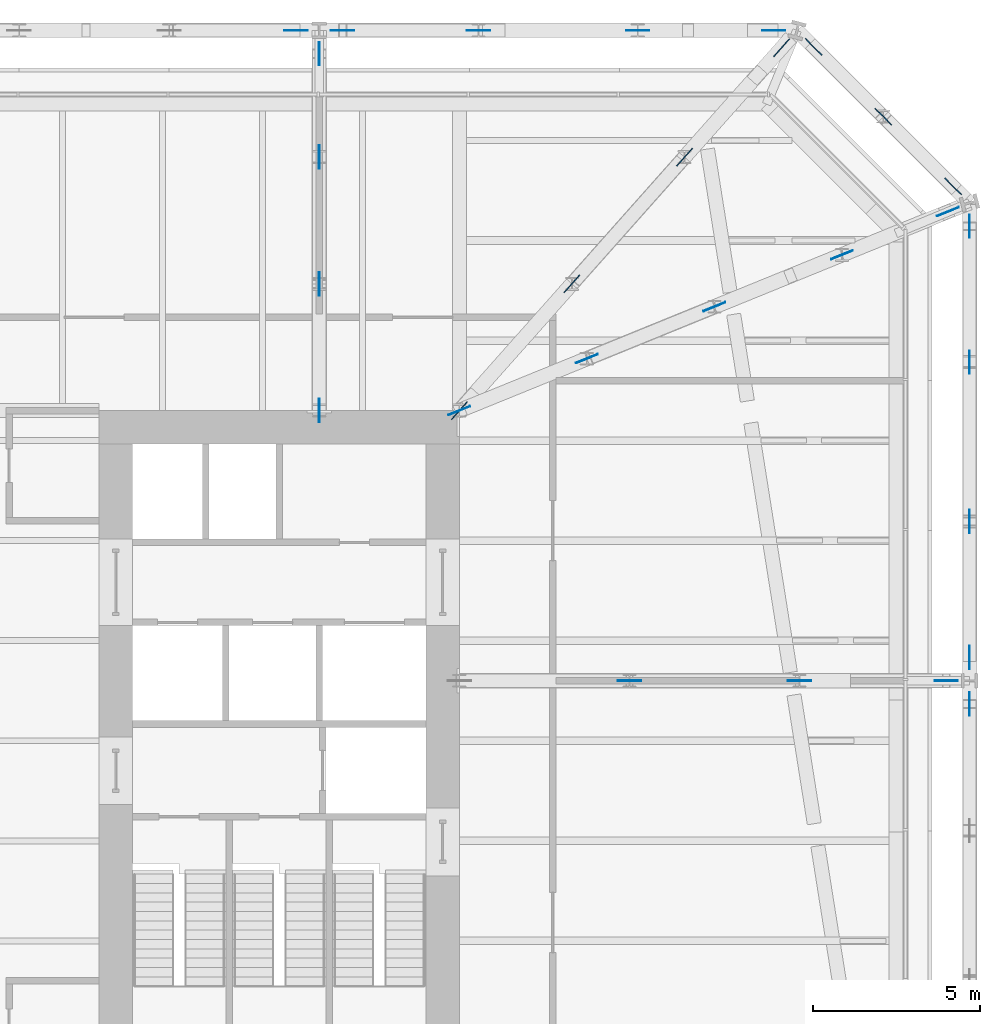
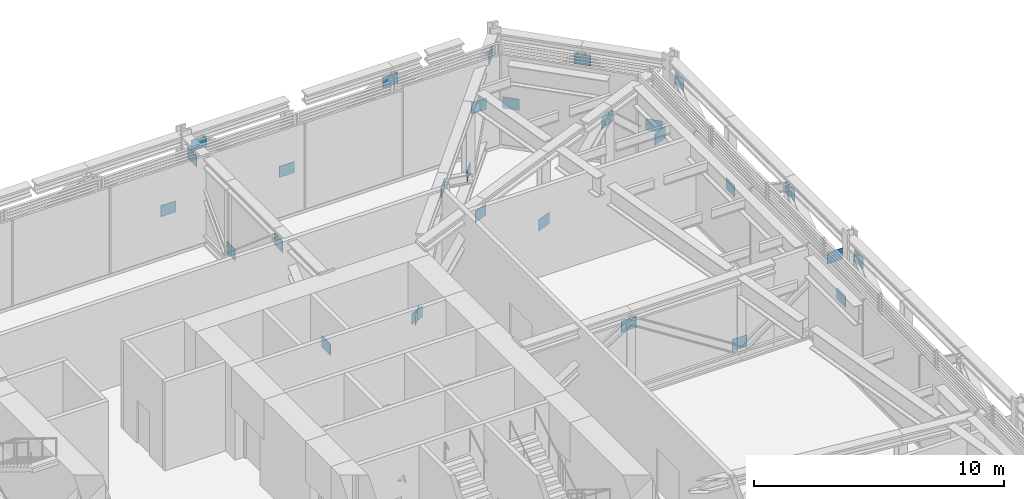
# One storey, part 30 of 31: 29 discrete accessories.
"""IFC4 building model written with IfcOpenShell, lengths in metres."""

from ifc_helpers import new_model, si_unit, direction, frame, origin, origin_2d, place, context, subcontext, project, spatial, rectangle, extrude, material, layer, layer_set, type_object, element, save


model = new_model("IFC4")

# Units and contexts
model_context = context("Model", 3, precision=1e-05, world=origin(), true_north=direction((0.0, 1.0)))
body_context = subcontext(model_context, "Body", "Model", "MODEL_VIEW")
ifc_project = project(units=[si_unit("LENGTHUNIT", "METRE"), si_unit("AREAUNIT", "SQUARE_METRE"), si_unit("VOLUMEUNIT", "CUBIC_METRE"), si_unit("PLANEANGLEUNIT", "RADIAN"), si_unit("MASSUNIT", "GRAM", prefix="KILO")], contexts=[model_context])

# Site, building, storey
site_placement = place(None, origin())
site = spatial("IfcSite", under=ifc_project, at=site_placement, CompositionType="ELEMENT")
building_placement = place(site_placement, origin())
building = spatial("IfcBuilding", under=site, at=building_placement, Name="Millrace Tower", CompositionType="ELEMENT")
storey_placement = place(building_placement, frame((0.0, 0.0, 120.39990234375)))
storey = spatial("IfcBuildingStorey", under=building, at=storey_placement, Name="L26", CompositionType="ELEMENT", Elevation=120.39990234375)

# Discrete accessories
ifc_material = material(Name="Steel ASTM A572 Grade 50", Category="steel")
ifc_layer = layer(ifc_material, 0.02490234375)
ifc_layer_set = layer_set([ifc_layer], Name="Steel ASTM A572 Grade 50")
discrete_accessory_type = type_object("IfcDiscreteAccessoryType", Name="Truss gusset plate 700x550x25", PredefinedType="BRACKET", material=ifc_layer_set)
discrete_accessory_1_placement = place(storey_placement, frame((30.199951171875, 0.75, 3.46728515625), z_axis=(0.0, 1.0, 0.0), x_axis=(-1.0, 0.0, 0.0)))
element("IfcDiscreteAccessory", 1, at=discrete_accessory_1_placement, inside=storey, type_object=discrete_accessory_type, Name="Truss gusset plate BLT-L26-R07-D03 head", PredefinedType="BRACKET", context=body_context, shape_type="SweptSolid", body=[
    extrude(rectangle(XDim=0.02490234375, YDim=0.550048828125, at=origin_2d()), origin(), (0.0, 0.0, 1.0), 0.699951171875),
])
discrete_accessory_2_placement = place(storey_placement, frame((30.199951171875, 2.14990234375, 0.77294921875), z_axis=(0.0, 1.0, 0.0), x_axis=(-1.0, 0.0, 0.0)))
element("IfcDiscreteAccessory", 2, at=discrete_accessory_2_placement, inside=storey, type_object=discrete_accessory_type, Name="Truss gusset plate BLT-L26-R08-D01 foot", PredefinedType="BRACKET", context=body_context, shape_type="SweptSolid", body=[
    extrude(rectangle(XDim=0.02490234375, YDim=0.550048828125, at=origin_2d()), origin(), (0.0, 0.0, 1.0), 0.7001953125),
])
discrete_accessory_3_placement = place(storey_placement, frame((30.199951171875, 6.22607421875, 3.46728515625), z_axis=(0.0, 1.0, 0.0), x_axis=(-1.0, 0.0, 0.0)))
element("IfcDiscreteAccessory", 3, at=discrete_accessory_3_placement, inside=storey, type_object=discrete_accessory_type, Name="Truss gusset plate BLT-L26-R08-D01 head", PredefinedType="BRACKET", context=body_context, shape_type="SweptSolid", body=[
    extrude(rectangle(XDim=0.02490234375, YDim=0.550048828125, at=origin_2d()), origin(), (0.0, 0.0, 1.0), 0.699951171875),
])
discrete_accessory_4_placement = place(storey_placement, frame((30.199951171875, 11.002197265625, 0.77294921875), z_axis=(0.0, 1.0, 0.0), x_axis=(-1.0, 0.0, 0.0)))
element("IfcDiscreteAccessory", 4, at=discrete_accessory_4_placement, inside=storey, type_object=discrete_accessory_type, Name="Truss gusset plate BLT-L26-R08-D02 foot", PredefinedType="BRACKET", context=body_context, shape_type="SweptSolid", body=[
    extrude(rectangle(XDim=0.02490234375, YDim=0.550048828125, at=origin_2d()), origin(), (0.0, 0.0, 1.0), 0.7001953125),
])
for number, where, z_axis, x_axis, name in (
    (5, (30.199951171875, 15.078369140625, 3.46728515625), (0.0, 1.0, 0.0), (-1.0, 0.0, 0.0), "Truss gusset plate BLT-L26-R08-D03 head"),
    (6, (29.45751953125, 16.870849609375, 0.77294921875), (0.707106781187, -0.707106781187, 0.0), (0.707106781187, 0.707106781187, 0.0), "Truss gusset plate BLT-L26-R09-D01 foot"),
    (7, (27.36669921875, 18.961669921875, 3.46728515625), (0.707281138664, -0.706932380706, 0.0), (0.706932380706, 0.707281138664, 0.0), "Truss gusset plate BLT-L26-R09-D01 head"),
    (8, (25.27587890625, 21.052490234375, 0.77294921875), (0.707281138664, -0.706932380706, 0.0), (0.706932380706, 0.707281138664, 0.0), "Truss gusset plate BLT-L26-R09-D02 foot"),
    (9, (23.978515625, 21.300048828125, 0.77294921875), (1.0, 0.0, 0.0), (0.0, 1.0, 0.0), "Truss gusset plate BLT-L26-R10-D01 foot"),
    (10, (19.90234375, 21.300048828125, 3.46728515625), (1.0, 0.0, 0.0), (0.0, 1.0, 0.0), "Truss gusset plate BLT-L26-R10-D01 head"),
    (11, (15.126220703125, 21.300048828125, 0.77294921875), (1.0, 0.0, 0.0), (0.0, 1.0, 0.0), "Truss gusset plate BLT-L26-R10-D02 foot"),
    (12, (11.050048828125, 21.300048828125, 3.46728515625), (1.0, 0.0, 0.0), (0.0, 1.0, 0.0), "Truss gusset plate BLT-L26-R10-D03 head"),
):
    element("IfcDiscreteAccessory", number, at=place(storey_placement, frame(where, z_axis=z_axis, x_axis=x_axis)), inside=storey, type_object=discrete_accessory_type, Name=name, PredefinedType="BRACKET", context=body_context, shape_type="SweptSolid", body=[
        extrude(rectangle(XDim=0.02490234375, YDim=0.550048828125, at=origin_2d()), origin(), (0.0, 0.0, 1.0), 0.699951171875),
    ])
for number, where, z_axis, x_axis, name in (
    (13, (9.64990234375, 21.300048828125, 0.77294921875), (1.0, 0.0, 0.0), (0.0, 1.0, 0.0), "Truss gusset plate BLT-L26-R11-D01 foot"),
    (14, (19.64990234375, 1.800048828125, 3.46728515625), (1.0, 0.0, 0.0), (0.0, 1.0, 0.0), "Truss gusset plate BLT-L26-O08-D01 head"),
):
    element("IfcDiscreteAccessory", number, at=place(storey_placement, frame(where, z_axis=z_axis, x_axis=x_axis)), inside=storey, type_object=discrete_accessory_type, Name=name, PredefinedType="BRACKET", context=body_context, shape_type="SweptSolid", body=[
        extrude(rectangle(XDim=0.02490234375, YDim=0.550048828125, at=origin_2d()), origin(), (0.0, 0.0, 1.0), 0.7001953125),
    ])
discrete_accessory_5_placement = place(storey_placement, frame((24.75, 1.800048828125, 0.77294921875), z_axis=(1.0, 0.0, 0.0), x_axis=(0.0, 1.0, 0.0)))
element("IfcDiscreteAccessory", 15, at=discrete_accessory_5_placement, inside=storey, type_object=discrete_accessory_type, Name="Truss gusset plate BLT-L26-O08-D02 foot", PredefinedType="BRACKET", context=body_context, shape_type="SweptSolid", body=[
    extrude(rectangle(XDim=0.02490234375, YDim=0.550048828125, at=origin_2d()), origin(), (0.0, 0.0, 1.0), 0.699951171875),
])
for number, where, z_axis, x_axis, name in (
    (16, (29.14990234375, 1.800048828125, 3.46728515625), (1.0, 0.0, 0.0), (0.0, 1.0, 0.0), "Truss gusset plate BLT-L26-O08-D03 head"),
    (17, (14.57568359375, 9.76806640625, 0.77294921875), (0.926223179849, 0.376975624027, 0.0), (-0.376975624027, 0.926223179849, 0.0), "Truss gusset plate BLT-L26-O09-D01 foot"),
    (18, (18.40087890625, 11.3251953125, 3.46728515625), (0.926223179849, 0.376975624027, 0.0), (-0.376975624027, 0.926223179849, 0.0), "Truss gusset plate BLT-L26-O09-D01 head"),
    (19, (22.225830078125, 12.882080078125, 0.77294921875), (0.926101384235, 0.377274735596, 0.0), (-0.377274735596, 0.926101384235, 0.0), "Truss gusset plate BLT-L26-O09-D02 foot"),
    (20, (26.05078125, 14.439453125, 3.46728515625), (0.926223179849, 0.376975624027, 0.0), (-0.376975624027, 0.926223179849, 0.0), "Truss gusset plate BLT-L26-O09-D03 head"),
):
    element("IfcDiscreteAccessory", number, at=place(storey_placement, frame(where, z_axis=z_axis, x_axis=x_axis)), inside=storey, type_object=discrete_accessory_type, Name=name, PredefinedType="BRACKET", context=body_context, shape_type="SweptSolid", body=[
        extrude(rectangle(XDim=0.02490234375, YDim=0.550048828125, at=origin_2d()), origin(), (0.0, 0.0, 1.0), 0.7001953125),
    ])
for number, where, z_axis, x_axis, name in (
    (21, (29.2275390625, 15.732421875, 0.77294921875), (0.926051729998, 0.37739659957, 0.0), (-0.37739659957, 0.926051729998, 0.0), "Truss gusset plate BLT-L26-O09-D04 foot"),
    (22, (14.66748046875, 9.638427734375, 0.77294921875), (0.664385485648, 0.747390076506, 0.0), (-0.747390076506, 0.664385485648, 0.0), "Truss gusset plate BLT-L26-O10-D01 foot"),
    (23, (18.043701171875, 13.4384765625, 3.46728515625), (0.664190604082, 0.747563269195, 0.0), (-0.747563269195, 0.664190604082, 0.0), "Truss gusset plate BLT-L26-O10-D01 head"),
    (24, (21.419921875, 17.23828125, 0.77294921875), (0.664017424016, 0.747717099312, 0.0), (-0.747717099312, 0.664017424016, 0.0), "Truss gusset plate BLT-L26-O10-D02 foot"),
    (25, (24.3310546875, 20.51513671875, 3.46728515625), (0.664190604082, 0.747563269195, 0.0), (-0.747563269195, 0.664190604082, 0.0), "Truss gusset plate BLT-L26-O10-D03 head"),
    (26, (10.699951171875, 9.550048828125, 0.77294921875), (0.0, 1.0, 0.0), (-1.0, 0.0, 0.0), "Truss gusset plate BLT-L26-O11-D01 foot"),
    (27, (10.699951171875, 13.35009765625, 3.46728515625), (0.0, 1.0, 0.0), (-1.0, 0.0, 0.0), "Truss gusset plate BLT-L26-O11-D01 head"),
):
    element("IfcDiscreteAccessory", number, at=place(storey_placement, frame(where, z_axis=z_axis, x_axis=x_axis)), inside=storey, type_object=discrete_accessory_type, Name=name, PredefinedType="BRACKET", context=body_context, shape_type="SweptSolid", body=[
        extrude(rectangle(XDim=0.02490234375, YDim=0.550048828125, at=origin_2d()), origin(), (0.0, 0.0, 1.0), 0.699951171875),
    ])
discrete_accessory_6_placement = place(storey_placement, frame((10.699951171875, 17.14990234375, 0.77294921875), z_axis=(0.0, 1.0, 0.0), x_axis=(-1.0, 0.0, 0.0)))
element("IfcDiscreteAccessory", 28, at=discrete_accessory_6_placement, inside=storey, type_object=discrete_accessory_type, Name="Truss gusset plate BLT-L26-O11-D02 foot", PredefinedType="BRACKET", context=body_context, shape_type="SweptSolid", body=[
    extrude(rectangle(XDim=0.02490234375, YDim=0.550048828125, at=origin_2d()), origin(), (0.0, 0.0, 1.0), 0.7001953125),
])
discrete_accessory_7_placement = place(storey_placement, frame((10.699951171875, 20.25, 3.46728515625), z_axis=(0.0, 1.0, 0.0), x_axis=(-1.0, 0.0, 0.0)))
element("IfcDiscreteAccessory", 29, at=discrete_accessory_7_placement, inside=storey, type_object=discrete_accessory_type, Name="Truss gusset plate BLT-L26-O11-D03 head", PredefinedType="BRACKET", context=body_context, shape_type="SweptSolid", body=[
    extrude(rectangle(XDim=0.02490234375, YDim=0.550048828125, at=origin_2d()), origin(), (0.0, 0.0, 1.0), 0.699951171875),
])

save(model, "model.ifc")
